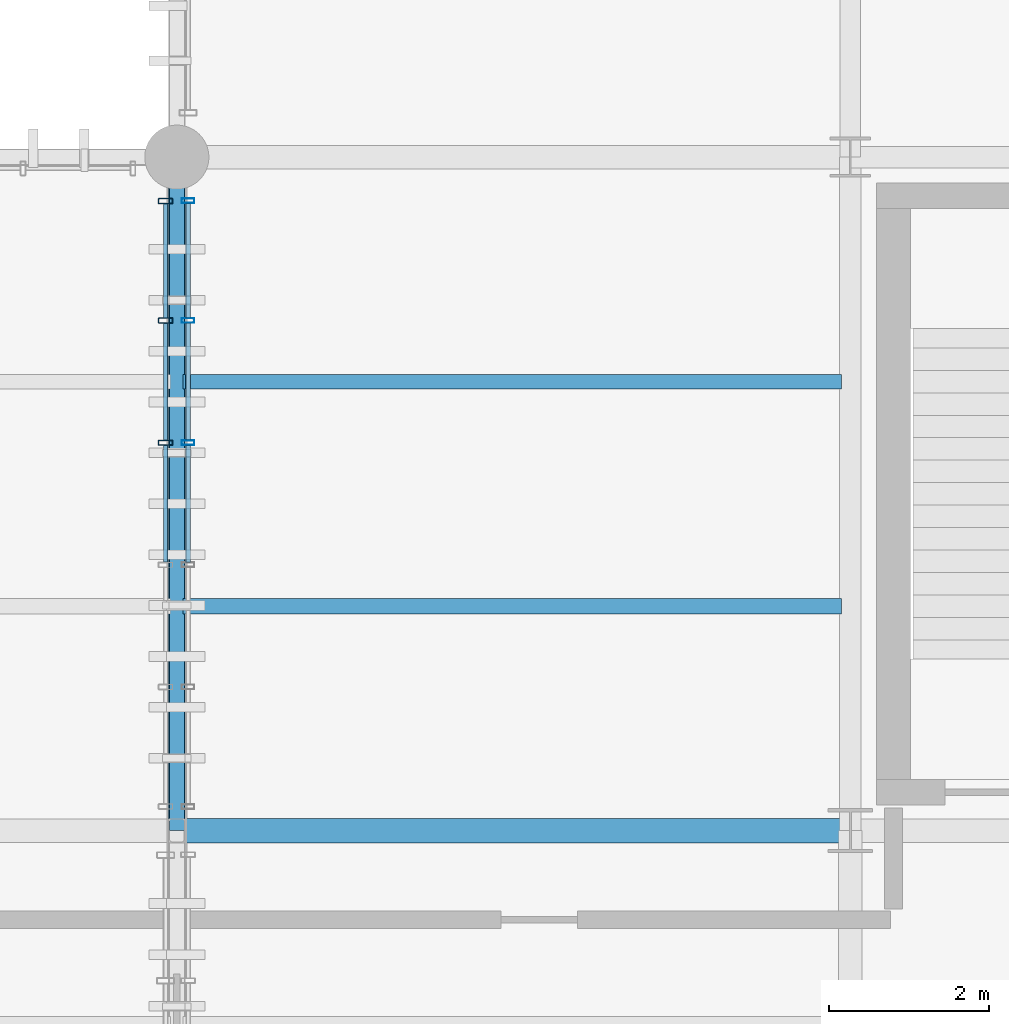
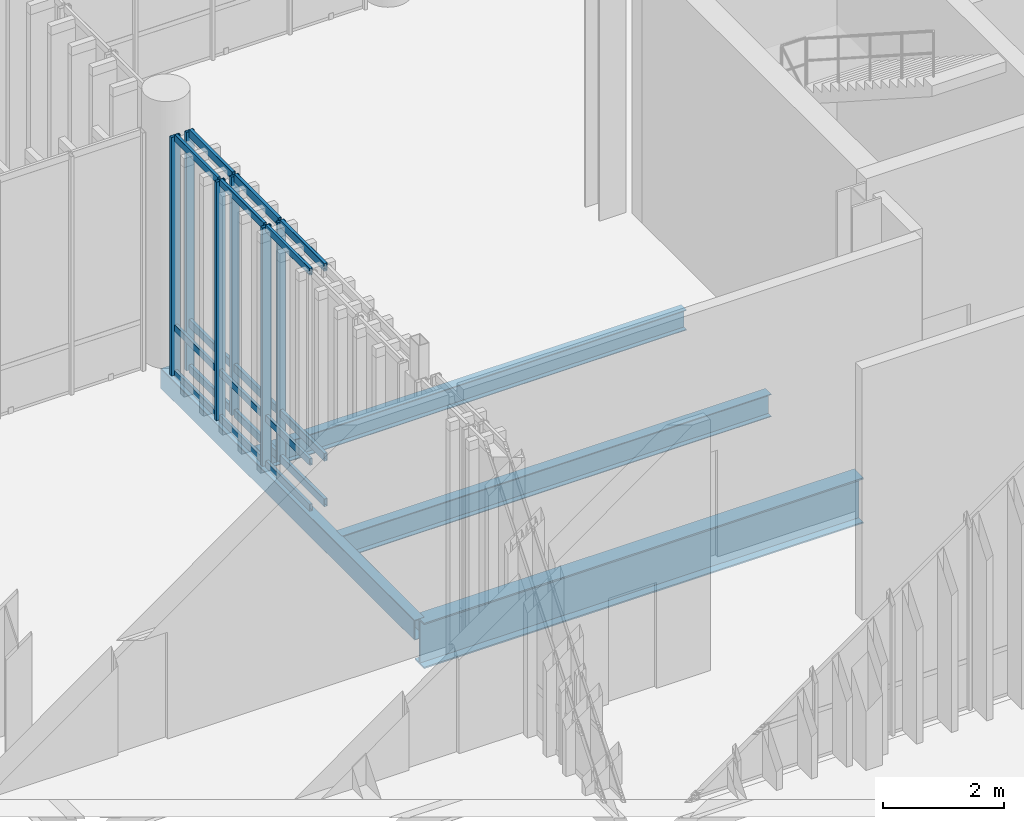
# One storey, part 38 of 128: 24 members, 4 beams, 2 elements without a shape of their own.
"""IFC4 building model written with IfcOpenShell, lengths in metres."""

from ifc_helpers import new_model, si_unit, direction, frame, origin_with_axes, origin_2d_with_axis, place, context, subcontext, project, spatial, hollow_rectangle, i_section, extrude, material, material_profile, profile_set, type_object, element, aggregate, save


model = new_model("IFC4")

# Units and contexts
model_context = context("Model", 3, precision=1e-05, world=origin_with_axes(), true_north=direction((0.0, 1.0)))
body_context = subcontext(model_context, "Body", "Model", "MODEL_VIEW")
ifc_project = project(units=[si_unit("LENGTHUNIT", "METRE"), si_unit("AREAUNIT", "SQUARE_METRE"), si_unit("VOLUMEUNIT", "CUBIC_METRE"), si_unit("PLANEANGLEUNIT", "RADIAN"), si_unit("MASSUNIT", "GRAM", prefix="KILO"), si_unit("THERMODYNAMICTEMPERATUREUNIT", "KELVIN")], contexts=[model_context])

# Site, building, storey
site_placement = place(None, origin_with_axes())
site = spatial("IfcSite", under=ifc_project, at=site_placement, CompositionType="ELEMENT")
building_placement = place(site_placement, origin_with_axes())
building = spatial("IfcBuilding", under=site, at=building_placement, Name="Montbau Bow Law Courts", CompositionType="ELEMENT")
storey_placement = place(building_placement, frame((0.0, 0.0, 5.4), z_axis=(0.0, 0.0, 1.0), x_axis=(1.0, 0.0, 0.0)))
storey = spatial("IfcBuildingStorey", under=building, at=storey_placement, Name="L01", CompositionType="ELEMENT", Elevation=5.4)

# Beams
ifc_material_1 = material(Name="Steel CSA G40.21 Grade 350W (350 MPa)", Category="steel")
ifc_material_profile_1 = material_profile(ifc_material_1, i_section(OverallWidth=0.306, OverallDepth=0.919, WebThickness=0.0173, FlangeThickness=0.0279, at=origin_2d_with_axis()), Name="W920X253", Category="Main", Priority=0)
ifc_profile_set_1 = profile_set([ifc_material_profile_1], Name="Steel CSA G40.21 Grade 350W (350 MPa)")
beam_type_1 = type_object("IfcBeamType", Name="B-FLR-01", PredefinedType="BEAM", material=ifc_profile_set_1)
beam_1_placement = place(None, frame((46.8, 46.2, 4.7), z_axis=(1.0, 0.0, 0.0), x_axis=(0.0, 1.0, 0.0)))
element("IfcBeam", 1, at=beam_1_placement, inside=storey, type_object=beam_type_1, Name="BM-L01-S0804:bm2_0807", PredefinedType="BEAM", context=body_context, shape_type="SweptSolid", body=[
    extrude(i_section(OverallWidth=0.306, OverallDepth=0.919, WebThickness=0.0173, FlangeThickness=0.0279, at=origin_2d_with_axis()), origin_with_axes(), (0.0, 0.0, 1.0), 8.4),
])
ifc_material_profile_2 = material_profile(ifc_material_1, i_section(OverallWidth=0.191, OverallDepth=0.46, WebThickness=0.0099, FlangeThickness=0.016, at=origin_2d_with_axis()), Name="W460X82", Category="Main", Priority=0)
ifc_profile_set_2 = profile_set([ifc_material_profile_2], Name="Steel CSA G40.21 Grade 350W (350 MPa)")
beam_type_2 = type_object("IfcBeamType", Name="B-JST-01", PredefinedType="JOIST", material=ifc_profile_set_2)
beam_2_placement = place(None, frame((46.88, 49.0, 4.93), z_axis=(1.0, 0.0, 0.0), x_axis=(0.0, 1.0, 0.0)))
element("IfcBeam", 2, at=beam_2_placement, inside=storey, type_object=beam_type_2, Name="JST-L01-S0416:jst2_0416", PredefinedType="JOIST", context=body_context, shape_type="SweptSolid", body=[
    extrude(i_section(OverallWidth=0.191, OverallDepth=0.46, WebThickness=0.0099, FlangeThickness=0.016, at=origin_2d_with_axis()), origin_with_axes(), (0.0, 0.0, 1.0), 8.211),
])
ifc_material_profile_3 = material_profile(ifc_material_1, i_section(OverallWidth=0.179, OverallDepth=0.41, WebThickness=0.0088, FlangeThickness=0.0144, at=origin_2d_with_axis()), Name="W410X67", Category="Main", Priority=0)
ifc_profile_set_3 = profile_set([ifc_material_profile_3], Name="Steel CSA G40.21 Grade 350W (350 MPa)")
beam_type_3 = type_object("IfcBeamType", Name="B-JST-02", PredefinedType="JOIST", material=ifc_profile_set_3)
beam_3_placement = place(None, frame((46.88, 51.8, 4.955), z_axis=(1.0, 0.0, 0.0), x_axis=(0.0, 1.0, 0.0)))
element("IfcBeam", 3, at=beam_3_placement, inside=storey, type_object=beam_type_3, Name="JST-L01-S0417:jst2_0417", PredefinedType="JOIST", context=body_context, shape_type="SweptSolid", body=[
    extrude(i_section(OverallWidth=0.179, OverallDepth=0.41, WebThickness=0.0088, FlangeThickness=0.0144, at=origin_2d_with_axis()), origin_with_axes(), (0.0, 0.0, 1.0), 8.211),
])
ifc_material_2 = material(Name="Steel CSA G40.21 Grade 350WT (350 MPa)", Category="steel")
ifc_material_profile_4 = material_profile(ifc_material_2, hollow_rectangle(XDim=0.203, YDim=0.406, WallThickness=0.0127, InnerFilletRadius=0.0254, OuterFilletRadius=0.0127, at=origin_2d_with_axis()), Name="HSS406X203X13", Category="Main", Priority=0)
ifc_profile_set_4 = profile_set([ifc_material_profile_4], Name="Steel CSA G40.21 Grade 350WT (350 MPa)")
beam_type_4 = type_object("IfcBeamType", Name="B-SPN-01", PredefinedType="SPANDREL", material=ifc_profile_set_4)
beam_4_placement = place(None, frame((46.8, 46.2, 4.957), z_axis=(0.0, 1.0, 0.0), x_axis=(-1.0, 0.0, 0.0)))
element("IfcBeam", 4, at=beam_4_placement, inside=storey, type_object=beam_type_4, Name="SPN-L01-S0549:bm2_0552", PredefinedType="SPANDREL", context=body_context, shape_type="SweptSolid", body=[
    extrude(hollow_rectangle(XDim=0.203, YDim=0.406, WallThickness=0.0127, InnerFilletRadius=0.0254, OuterFilletRadius=0.0127, at=origin_2d_with_axis()), origin_with_axes(), (0.0, 0.0, 1.0), 8.4),
])

# Curtain wall, members
ifc_material_3 = material(Name="Thermally Broken Extruded Aluminium AA 6063-T6", Category="aluminium")
curtain_wall_type_1 = type_object("IfcCurtainWallType", Name="CW-TRC-01", PredefinedType="NOTDEFINED", material=ifc_material_3)
curtain_wall_1_placement = place(None, frame((46.66, 46.468, 5.4), z_axis=(0.0, 0.0, 1.0), x_axis=(1.0, 0.0, 0.0)))
curtain_wall_1 = element("IfcCurtainWall", 5, at=curtain_wall_1_placement, inside=storey, type_object=curtain_wall_type_1, Name="CW-L01-031:cw_0031", PredefinedType="NOTDEFINED")
ifc_material_profile_5 = material_profile(ifc_material_3, hollow_rectangle(XDim=0.065, YDim=0.18, WallThickness=0.005, InnerFilletRadius=0.01, OuterFilletRadius=0.005, at=origin_2d_with_axis()), Name="CWM-180X65", Category="Main", Priority=0)
ifc_profile_set_5 = profile_set([ifc_material_profile_5], Name="Thermally Broken Extruded Aluminium AA 6063-T6")
member_type_1 = type_object("IfcMemberType", Name="M-MUL-02", PredefinedType="MULLION", material=ifc_profile_set_5)
member_1_placement = place(None, frame((46.66, 51.038, 5.4), z_axis=(0.0, 0.0, 1.0), x_axis=(0.0, 1.0, 0.0)))
member_1 = element("IfcMember", 6, at=member_1_placement, type_object=member_type_1, Name="CW-L01-031-M04:cw_0031_M04", PredefinedType="MULLION", context=body_context, shape_type="SweptSolid", body=[
    extrude(hollow_rectangle(XDim=0.065, YDim=0.18, WallThickness=0.005, InnerFilletRadius=0.01, OuterFilletRadius=0.005, at=origin_2d_with_axis()), origin_with_axes(), (0.0, 0.0, 1.0), 4.82),
])
member_2_placement = place(None, frame((46.66, 52.562, 5.4), z_axis=(0.0, 0.0, 1.0), x_axis=(0.0, 1.0, 0.0)))
member_2 = element("IfcMember", 7, at=member_2_placement, type_object=member_type_1, Name="CW-L01-031-M05:cw_0031_M05", PredefinedType="MULLION", context=body_context, shape_type="SweptSolid", body=[
    extrude(hollow_rectangle(XDim=0.065, YDim=0.18, WallThickness=0.005, InnerFilletRadius=0.01, OuterFilletRadius=0.005, at=origin_2d_with_axis()), origin_with_axes(), (0.0, 0.0, 1.0), 4.82),
])
member_3_placement = place(None, frame((46.66, 54.052, 5.4), z_axis=(0.0, 0.0, 1.0), x_axis=(0.0, 1.0, 0.0)))
member_3 = element("IfcMember", 8, at=member_3_placement, type_object=member_type_1, Name="CW-L01-031-M06:cw_0031_M06", PredefinedType="MULLION", context=body_context, shape_type="SweptSolid", body=[
    extrude(hollow_rectangle(XDim=0.065, YDim=0.18, WallThickness=0.005, InnerFilletRadius=0.01, OuterFilletRadius=0.005, at=origin_2d_with_axis()), origin_with_axes(), (0.0, 0.0, 1.0), 4.82),
])

curtain_wall_type_2 = type_object("IfcCurtainWallType", Name="CW-CRM-01", PredefinedType="NOTDEFINED", material=ifc_material_3)
curtain_wall_2_placement = place(None, frame((46.94, 46.468, 5.4), z_axis=(0.0, 0.0, 1.0), x_axis=(1.0, 0.0, 0.0)))
curtain_wall_2 = element("IfcCurtainWall", 9, at=curtain_wall_2_placement, inside=storey, type_object=curtain_wall_type_2, Name="CW-L01-152:cw_0152", PredefinedType="NOTDEFINED")
ifc_material_profile_6 = material_profile(ifc_material_3, hollow_rectangle(XDim=0.06, YDim=0.16, WallThickness=0.004, InnerFilletRadius=0.008, OuterFilletRadius=0.004, at=origin_2d_with_axis()), Name="CWM-160X60", Category="Main", Priority=0)
ifc_profile_set_6 = profile_set([ifc_material_profile_6], Name="Thermally Broken Extruded Aluminium AA 6063-T6")
member_type_2 = type_object("IfcMemberType", Name="M-MUL-03", PredefinedType="MULLION", material=ifc_profile_set_6)
member_4_placement = place(None, frame((46.94, 51.038, 5.4), z_axis=(0.0, 0.0, 1.0), x_axis=(0.0, 1.0, 0.0)))
member_4 = element("IfcMember", 10, at=member_4_placement, type_object=member_type_2, Name="CW-L01-152-M04:cw_0152_M04", PredefinedType="MULLION", context=body_context, shape_type="SweptSolid", body=[
    extrude(hollow_rectangle(XDim=0.06, YDim=0.16, WallThickness=0.004, InnerFilletRadius=0.008, OuterFilletRadius=0.004, at=origin_2d_with_axis()), origin_with_axes(), (0.0, 0.0, 1.0), 4.82),
])
member_5_placement = place(None, frame((46.94, 52.562, 5.4), z_axis=(0.0, 0.0, 1.0), x_axis=(0.0, 1.0, 0.0)))
member_5 = element("IfcMember", 11, at=member_5_placement, type_object=member_type_2, Name="CW-L01-152-M05:cw_0152_M05", PredefinedType="MULLION", context=body_context, shape_type="SweptSolid", body=[
    extrude(hollow_rectangle(XDim=0.06, YDim=0.16, WallThickness=0.004, InnerFilletRadius=0.008, OuterFilletRadius=0.004, at=origin_2d_with_axis()), origin_with_axes(), (0.0, 0.0, 1.0), 4.82),
])
member_6_placement = place(None, frame((46.94, 54.055, 5.4), z_axis=(0.0, 0.0, 1.0), x_axis=(0.0, 1.0, 0.0)))
member_6 = element("IfcMember", 12, at=member_6_placement, type_object=member_type_2, Name="CW-L01-152-M06:cw_0152_M06", PredefinedType="MULLION", context=body_context, shape_type="SweptSolid", body=[
    extrude(hollow_rectangle(XDim=0.06, YDim=0.16, WallThickness=0.004, InnerFilletRadius=0.008, OuterFilletRadius=0.004, at=origin_2d_with_axis()), origin_with_axes(), (0.0, 0.0, 1.0), 4.82),
])
ifc_material_profile_7 = material_profile(ifc_material_3, hollow_rectangle(XDim=0.06, YDim=0.16, WallThickness=0.004, InnerFilletRadius=0.008, OuterFilletRadius=0.004, at=origin_2d_with_axis()), Name="CWT-160X60", Category="Main", Priority=0)
ifc_profile_set_7 = profile_set([ifc_material_profile_7], Name="Thermally Broken Extruded Aluminium AA 6063-T6")
member_type_3 = type_object("IfcMemberType", Name="M-TRN-01", PredefinedType="USERDEFINED", material=ifc_profile_set_7)
member_7_placement = place(None, frame((46.94, 49.547, 5.43), z_axis=(0.0, 1.0, 0.0), x_axis=(-1.0, 0.0, 0.0)))
member_7 = element("IfcMember", 13, at=member_7_placement, type_object=member_type_3, Name="CW-L01-152-T03-1:cw_0152_T03_1", ObjectType="TRANSOM", PredefinedType="USERDEFINED", context=body_context, shape_type="SweptSolid", body=[
    extrude(hollow_rectangle(XDim=0.06, YDim=0.16, WallThickness=0.004, InnerFilletRadius=0.008, OuterFilletRadius=0.004, at=origin_2d_with_axis()), origin_with_axes(), (0.0, 0.0, 1.0), 1.459),
])
member_8_placement = place(None, frame((46.94, 49.547, 6.35), z_axis=(0.0, 1.0, 0.0), x_axis=(-1.0, 0.0, 0.0)))
member_8 = element("IfcMember", 14, at=member_8_placement, type_object=member_type_3, Name="CW-L01-152-T03-2:cw_0152_T03_2", ObjectType="TRANSOM", PredefinedType="USERDEFINED", context=body_context, shape_type="SweptSolid", body=[
    extrude(hollow_rectangle(XDim=0.06, YDim=0.16, WallThickness=0.004, InnerFilletRadius=0.008, OuterFilletRadius=0.004, at=origin_2d_with_axis()), origin_with_axes(), (0.0, 0.0, 1.0), 1.459),
])
member_9_placement = place(None, frame((46.94, 49.547, 10.19), z_axis=(0.0, 1.0, 0.0), x_axis=(-1.0, 0.0, 0.0)))
member_9 = element("IfcMember", 15, at=member_9_placement, type_object=member_type_3, Name="CW-L01-152-T03-3:cw_0152_T03_3", ObjectType="TRANSOM", PredefinedType="USERDEFINED", context=body_context, shape_type="SweptSolid", body=[
    extrude(hollow_rectangle(XDim=0.06, YDim=0.16, WallThickness=0.004, InnerFilletRadius=0.008, OuterFilletRadius=0.004, at=origin_2d_with_axis()), origin_with_axes(), (0.0, 0.0, 1.0), 1.459),
])
member_10_placement = place(None, frame((46.94, 51.07, 5.43), z_axis=(0.0, 1.0, 0.0), x_axis=(-1.0, 0.0, 0.0)))
member_10 = element("IfcMember", 16, at=member_10_placement, type_object=member_type_3, Name="CW-L01-152-T04-1:cw_0152_T04_1", ObjectType="TRANSOM", PredefinedType="USERDEFINED", context=body_context, shape_type="SweptSolid", body=[
    extrude(hollow_rectangle(XDim=0.06, YDim=0.16, WallThickness=0.004, InnerFilletRadius=0.008, OuterFilletRadius=0.004, at=origin_2d_with_axis()), origin_with_axes(), (0.0, 0.0, 1.0), 1.46),
])
member_11_placement = place(None, frame((46.94, 51.07, 6.35), z_axis=(0.0, 1.0, 0.0), x_axis=(-1.0, 0.0, 0.0)))
member_11 = element("IfcMember", 17, at=member_11_placement, type_object=member_type_3, Name="CW-L01-152-T04-2:cw_0152_T04_2", ObjectType="TRANSOM", PredefinedType="USERDEFINED", context=body_context, shape_type="SweptSolid", body=[
    extrude(hollow_rectangle(XDim=0.06, YDim=0.16, WallThickness=0.004, InnerFilletRadius=0.008, OuterFilletRadius=0.004, at=origin_2d_with_axis()), origin_with_axes(), (0.0, 0.0, 1.0), 1.46),
])
member_12_placement = place(None, frame((46.94, 51.07, 10.19), z_axis=(0.0, 1.0, 0.0), x_axis=(-1.0, 0.0, 0.0)))
member_12 = element("IfcMember", 18, at=member_12_placement, type_object=member_type_3, Name="CW-L01-152-T04-3:cw_0152_T04_3", ObjectType="TRANSOM", PredefinedType="USERDEFINED", context=body_context, shape_type="SweptSolid", body=[
    extrude(hollow_rectangle(XDim=0.06, YDim=0.16, WallThickness=0.004, InnerFilletRadius=0.008, OuterFilletRadius=0.004, at=origin_2d_with_axis()), origin_with_axes(), (0.0, 0.0, 1.0), 1.46),
])
member_13_placement = place(None, frame((46.94, 52.594, 5.43), z_axis=(0.0, 1.0, 0.0), x_axis=(-1.0, 0.0, 0.0)))
member_13 = element("IfcMember", 19, at=member_13_placement, type_object=member_type_3, Name="CW-L01-152-T05-1:cw_0152_T05_1", ObjectType="TRANSOM", PredefinedType="USERDEFINED", context=body_context, shape_type="SweptSolid", body=[
    extrude(hollow_rectangle(XDim=0.06, YDim=0.16, WallThickness=0.004, InnerFilletRadius=0.008, OuterFilletRadius=0.004, at=origin_2d_with_axis()), origin_with_axes(), (0.0, 0.0, 1.0), 1.429),
])
member_14_placement = place(None, frame((46.94, 52.594, 6.35), z_axis=(0.0, 1.0, 0.0), x_axis=(-1.0, 0.0, 0.0)))
member_14 = element("IfcMember", 20, at=member_14_placement, type_object=member_type_3, Name="CW-L01-152-T05-2:cw_0152_T05_2", ObjectType="TRANSOM", PredefinedType="USERDEFINED", context=body_context, shape_type="SweptSolid", body=[
    extrude(hollow_rectangle(XDim=0.06, YDim=0.16, WallThickness=0.004, InnerFilletRadius=0.008, OuterFilletRadius=0.004, at=origin_2d_with_axis()), origin_with_axes(), (0.0, 0.0, 1.0), 1.429),
])
member_15_placement = place(None, frame((46.94, 52.594, 10.19), z_axis=(0.0, 1.0, 0.0), x_axis=(-1.0, 0.0, 0.0)))
member_15 = element("IfcMember", 21, at=member_15_placement, type_object=member_type_3, Name="CW-L01-152-T05-3:cw_0152_T05_3", ObjectType="TRANSOM", PredefinedType="USERDEFINED", context=body_context, shape_type="SweptSolid", body=[
    extrude(hollow_rectangle(XDim=0.06, YDim=0.16, WallThickness=0.004, InnerFilletRadius=0.008, OuterFilletRadius=0.004, at=origin_2d_with_axis()), origin_with_axes(), (0.0, 0.0, 1.0), 1.429),
])
aggregate(curtain_wall_2, [member_4, member_5, member_6, member_7, member_8, member_9, member_10, member_11, member_12, member_13, member_14, member_15])

# Member
ifc_material_profile_8 = material_profile(ifc_material_3, hollow_rectangle(XDim=0.055, YDim=0.14, WallThickness=0.004, InnerFilletRadius=0.008, OuterFilletRadius=0.004, at=origin_2d_with_axis()), Name="CWT-140X55", Category="Main", Priority=0)
ifc_profile_set_8 = profile_set([ifc_material_profile_8], Name="Thermally Broken Extruded Aluminium AA 6063-T6")
member_type_4 = type_object("IfcMemberType", Name="M-TRN-02", PredefinedType="USERDEFINED", material=ifc_profile_set_8)
member_16_placement = place(None, frame((46.66, 49.55, 5.428), z_axis=(0.0, 1.0, 0.0), x_axis=(-1.0, 0.0, 0.0)))
member_16 = element("IfcMember", 22, at=member_16_placement, type_object=member_type_4, Name="CW-L01-031-T03-1:cw_0031_T03_1", ObjectType="TRANSOM", PredefinedType="USERDEFINED", context=body_context, shape_type="SweptSolid", body=[
    extrude(hollow_rectangle(XDim=0.055, YDim=0.14, WallThickness=0.004, InnerFilletRadius=0.008, OuterFilletRadius=0.004, at=origin_2d_with_axis()), origin_with_axes(), (0.0, 0.0, 1.0), 1.454),
])

member_17_placement = place(None, frame((46.66, 49.55, 6.35), z_axis=(0.0, 1.0, 0.0), x_axis=(-1.0, 0.0, 0.0)))
member_17 = element("IfcMember", 23, at=member_17_placement, type_object=member_type_4, Name="CW-L01-031-T03-2:cw_0031_T03_2", ObjectType="TRANSOM", PredefinedType="USERDEFINED", context=body_context, shape_type="SweptSolid", body=[
    extrude(hollow_rectangle(XDim=0.055, YDim=0.14, WallThickness=0.004, InnerFilletRadius=0.008, OuterFilletRadius=0.004, at=origin_2d_with_axis()), origin_with_axes(), (0.0, 0.0, 1.0), 1.454),
])

member_18_placement = place(None, frame((46.66, 49.55, 10.193), z_axis=(0.0, 1.0, 0.0), x_axis=(-1.0, 0.0, 0.0)))
member_18 = element("IfcMember", 24, at=member_18_placement, type_object=member_type_4, Name="CW-L01-031-T03-3:cw_0031_T03_3", ObjectType="TRANSOM", PredefinedType="USERDEFINED", context=body_context, shape_type="SweptSolid", body=[
    extrude(hollow_rectangle(XDim=0.055, YDim=0.14, WallThickness=0.004, InnerFilletRadius=0.008, OuterFilletRadius=0.004, at=origin_2d_with_axis()), origin_with_axes(), (0.0, 0.0, 1.0), 1.454),
])

member_19_placement = place(None, frame((46.66, 51.072, 5.428), z_axis=(0.0, 1.0, 0.0), x_axis=(-1.0, 0.0, 0.0)))
member_19 = element("IfcMember", 25, at=member_19_placement, type_object=member_type_4, Name="CW-L01-031-T04-1:cw_0031_T04_1", ObjectType="TRANSOM", PredefinedType="USERDEFINED", context=body_context, shape_type="SweptSolid", body=[
    extrude(hollow_rectangle(XDim=0.055, YDim=0.14, WallThickness=0.004, InnerFilletRadius=0.008, OuterFilletRadius=0.004, at=origin_2d_with_axis()), origin_with_axes(), (0.0, 0.0, 1.0), 1.456),
])

member_20_placement = place(None, frame((46.66, 51.072, 6.35), z_axis=(0.0, 1.0, 0.0), x_axis=(-1.0, 0.0, 0.0)))
member_20 = element("IfcMember", 26, at=member_20_placement, type_object=member_type_4, Name="CW-L01-031-T04-2:cw_0031_T04_2", ObjectType="TRANSOM", PredefinedType="USERDEFINED", context=body_context, shape_type="SweptSolid", body=[
    extrude(hollow_rectangle(XDim=0.055, YDim=0.14, WallThickness=0.004, InnerFilletRadius=0.008, OuterFilletRadius=0.004, at=origin_2d_with_axis()), origin_with_axes(), (0.0, 0.0, 1.0), 1.456),
])

member_21_placement = place(None, frame((46.66, 51.072, 10.193), z_axis=(0.0, 1.0, 0.0), x_axis=(-1.0, 0.0, 0.0)))
member_21 = element("IfcMember", 27, at=member_21_placement, type_object=member_type_4, Name="CW-L01-031-T04-3:cw_0031_T04_3", ObjectType="TRANSOM", PredefinedType="USERDEFINED", context=body_context, shape_type="SweptSolid", body=[
    extrude(hollow_rectangle(XDim=0.055, YDim=0.14, WallThickness=0.004, InnerFilletRadius=0.008, OuterFilletRadius=0.004, at=origin_2d_with_axis()), origin_with_axes(), (0.0, 0.0, 1.0), 1.456),
])

member_22_placement = place(None, frame((46.66, 52.596, 5.428), z_axis=(0.0, 1.0, 0.0), x_axis=(-1.0, 0.0, 0.0)))
member_22 = element("IfcMember", 28, at=member_22_placement, type_object=member_type_4, Name="CW-L01-031-T05-1:cw_0031_T05_1", ObjectType="TRANSOM", PredefinedType="USERDEFINED", context=body_context, shape_type="SweptSolid", body=[
    extrude(hollow_rectangle(XDim=0.055, YDim=0.14, WallThickness=0.004, InnerFilletRadius=0.008, OuterFilletRadius=0.004, at=origin_2d_with_axis()), origin_with_axes(), (0.0, 0.0, 1.0), 1.422),
])

member_23_placement = place(None, frame((46.66, 52.596, 6.35), z_axis=(0.0, 1.0, 0.0), x_axis=(-1.0, 0.0, 0.0)))
member_23 = element("IfcMember", 29, at=member_23_placement, type_object=member_type_4, Name="CW-L01-031-T05-2:cw_0031_T05_2", ObjectType="TRANSOM", PredefinedType="USERDEFINED", context=body_context, shape_type="SweptSolid", body=[
    extrude(hollow_rectangle(XDim=0.055, YDim=0.14, WallThickness=0.004, InnerFilletRadius=0.008, OuterFilletRadius=0.004, at=origin_2d_with_axis()), origin_with_axes(), (0.0, 0.0, 1.0), 1.422),
])

member_24_placement = place(None, frame((46.66, 52.596, 10.193), z_axis=(0.0, 1.0, 0.0), x_axis=(-1.0, 0.0, 0.0)))
member_24 = element("IfcMember", 30, at=member_24_placement, type_object=member_type_4, Name="CW-L01-031-T05-3:cw_0031_T05_3", ObjectType="TRANSOM", PredefinedType="USERDEFINED", context=body_context, shape_type="SweptSolid", body=[
    extrude(hollow_rectangle(XDim=0.055, YDim=0.14, WallThickness=0.004, InnerFilletRadius=0.008, OuterFilletRadius=0.004, at=origin_2d_with_axis()), origin_with_axes(), (0.0, 0.0, 1.0), 1.422),
])

aggregate(curtain_wall_1, [member_1, member_2, member_3, member_16, member_17, member_18, member_19, member_20, member_21, member_22, member_23, member_24])

save(model, "model.ifc")
